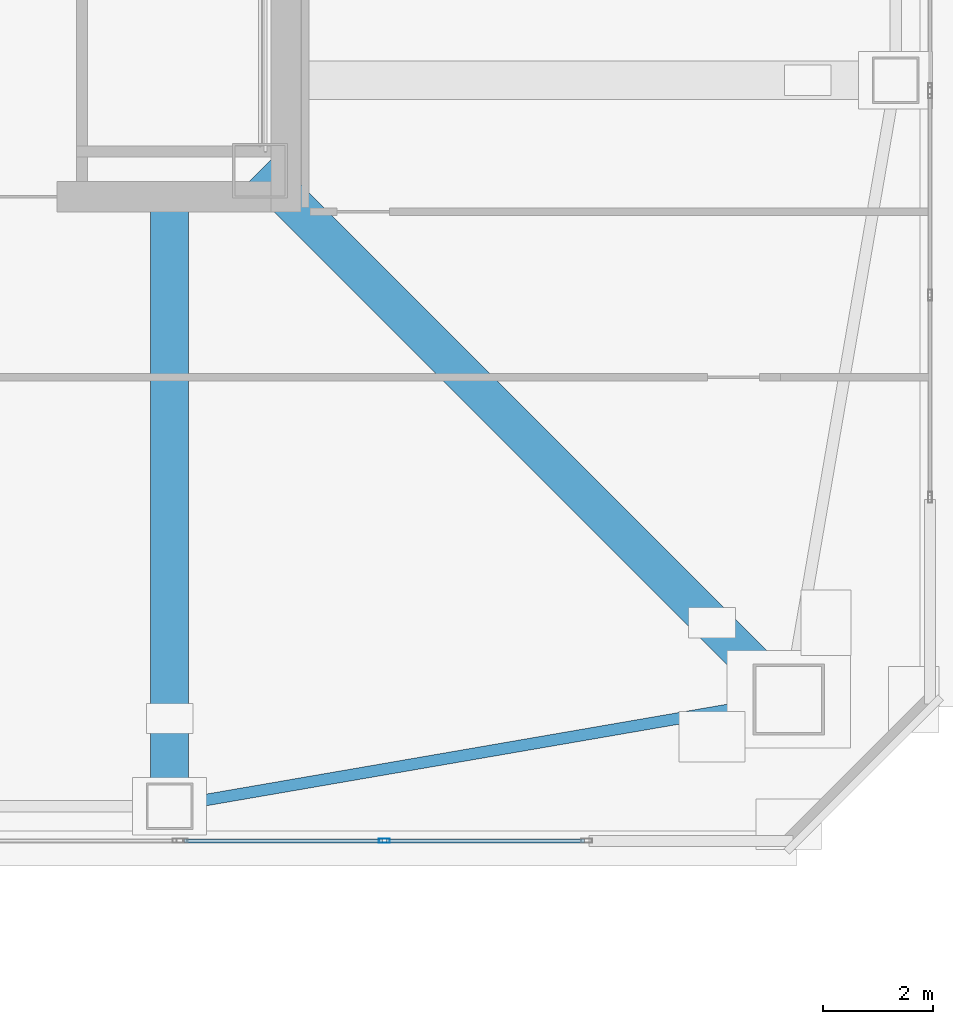
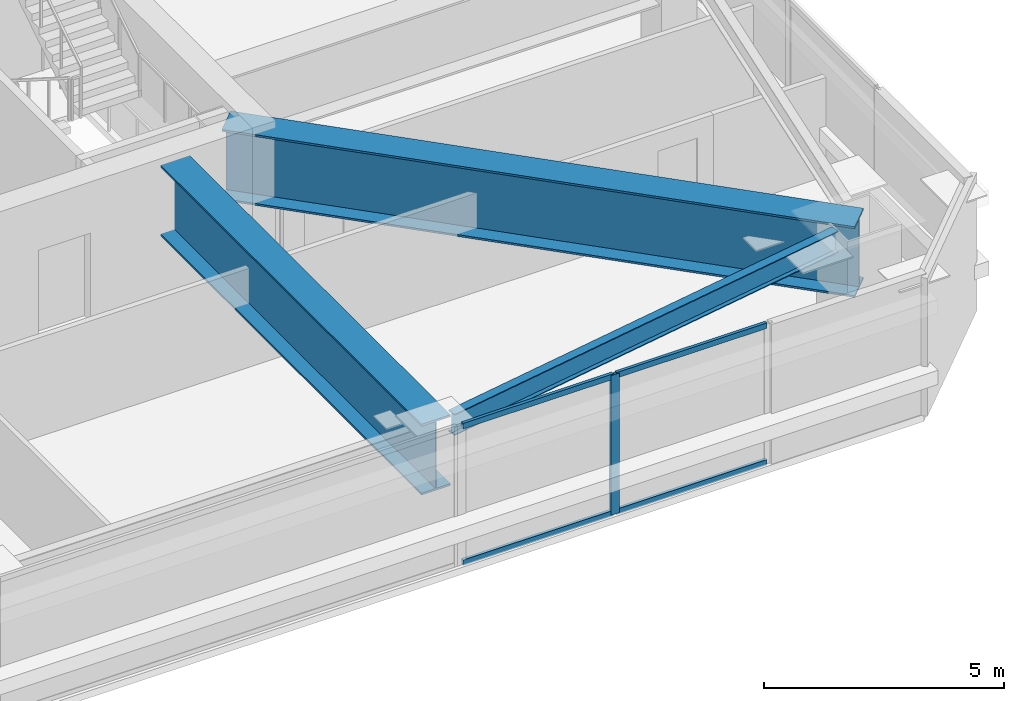
# One storey, part 6 of 42: 5 members, 3 beams, 1 element without a shape of its own.
"""IFC4 building model written with IfcOpenShell, lengths in metres."""

import ifcopenshell
import ifcopenshell.guid

model = None  # the IFC model being written
_history = None  # IfcOwnerHistory: only IFC2X3 demands one
_inside = {}  # id of a spatial element -> (the spatial element, [elements in it])
_under = {}  # id of a project, library or spatial element -> (it, [spatial elements below it])
_declared = {}  # id of a project -> (the project, [libraries it declares])
_typed = {}  # id of a type object -> (the type object, [elements of that type])
_made_of = {}  # id of a material, layer set ... -> (it, [elements and type objects made of it])


def new_model(schema):
    """Start an empty IFC model of exactly this schema.

    Asked for "IFC4X3", IfcOpenShell would pick the latest addendum, in which some entities
    have other attributes; the version numbers below select the first issue.
    IFC2X3 requires an IfcOwnerHistory on every rooted entity: one is made here for all.
    """
    global model, _history
    if schema == "IFC4X3":
        model = ifcopenshell.file(schema_version=(4, 3, 0, 0))
    else:
        model = ifcopenshell.file(schema=schema)
    _inside.clear()
    _under.clear()
    _declared.clear()
    _typed.clear()
    _made_of.clear()
    _history = None
    if model.schema == "IFC2X3":
        org = make("IfcOrganization", Name="unknown")
        user = make(
            "IfcPersonAndOrganization",
            ThePerson=make("IfcPerson", FamilyName="unknown"),
            TheOrganization=org,
        )
        app = make(
            "IfcApplication",
            ApplicationDeveloper=org,
            Version="unknown",
            ApplicationFullName="unknown",
            ApplicationIdentifier="unknown",
        )
        _history = make(
            "IfcOwnerHistory",
            OwningUser=user,
            OwningApplication=app,
            ChangeAction="ADDED",
            CreationDate=0,
        )
    return model


def make(cls, **values):
    """One entity of the class cls with the attributes given. An attribute that is None is left unset."""
    return model.create_entity(
        cls, **{name: value for name, value in values.items() if value is not None}
    )


def rooted(cls, **values):
    """An entity with a GlobalId (a new one), such as an element, a storey or a relation."""
    return make(cls, GlobalId=ifcopenshell.guid.new(), OwnerHistory=_history, **values)


def si_unit(unit_type, name, prefix=None):
    """IfcSIUnit, for example si_unit("LENGTHUNIT", "METRE", prefix="MILLI")."""
    return make("IfcSIUnit", UnitType=unit_type, Prefix=prefix, Name=name)


def assignment(units):
    """IfcUnitAssignment: the units of a project."""
    return None if units is None else make("IfcUnitAssignment", Units=units)


def point(xyz):
    """IfcCartesianPoint."""
    return None if xyz is None else make("IfcCartesianPoint", Coordinates=xyz)


def direction(xyz):
    """IfcDirection."""
    return None if xyz is None else make("IfcDirection", DirectionRatios=xyz)


def frame(location, z_axis=None, x_axis=None):
    """IfcAxis2Placement3D, a coordinate frame: its origin and axes. An axis left out is left unset."""
    return make(
        "IfcAxis2Placement3D",
        Location=point(location),
        Axis=direction(z_axis),
        RefDirection=direction(x_axis),
    )


def frame_2d(location, x_axis=None):
    """IfcAxis2Placement2D, a coordinate frame in the plane: its origin and x axis."""
    return make(
        "IfcAxis2Placement2D", Location=point(location), RefDirection=direction(x_axis)
    )


def origin():
    """The frame at (0, 0, 0) with its axes left unset."""
    return frame((0.0, 0.0, 0.0))


def origin_2d():
    """The frame at (0, 0) in the plane with its x axis left unset."""
    return frame_2d((0.0, 0.0))


def place(relative_to, where):
    """IfcLocalPlacement: puts the frame where relative to a parent placement (None: the world)."""
    return make(
        "IfcLocalPlacement", PlacementRelTo=relative_to, RelativePlacement=where
    )


def context(
    kind, dimensions, precision=None, world=None, true_north=None, identifier=None
):
    """IfcGeometricRepresentationContext, for example the 3D "Model" context."""
    return make(
        "IfcGeometricRepresentationContext",
        ContextIdentifier=identifier,
        ContextType=kind,
        CoordinateSpaceDimension=dimensions,
        Precision=precision,
        WorldCoordinateSystem=world,
        TrueNorth=true_north,
    )


def subcontext(parent, identifier, kind, view, scale=None):
    """IfcGeometricRepresentationSubContext, for example "Body" below "Model"."""
    return make(
        "IfcGeometricRepresentationSubContext",
        ContextIdentifier=identifier,
        ContextType=kind,
        ParentContext=parent,
        TargetScale=scale,
        TargetView=view,
    )


def project(units=None, contexts=None):
    """IfcProject with its units and contexts."""
    return rooted(
        "IfcProject",
        Name="project",
        RepresentationContexts=contexts,
        UnitsInContext=assignment(units),
    )


def spatial(cls, under=None, at=None, **own):
    """A site, building, storey or space (cls), placed at a placement, below another one or the project."""
    s = rooted(cls, ObjectPlacement=at, **own)
    if under is not None:
        _under.setdefault(under.id(), (under, []))[1].append(s)
    return s


def profile(cls, at=None, kind="AREA", **sizes):
    """A parametric profile (cls). Its sizes go by their IFC names, for example OverallWidth=200.0."""
    return make(cls, ProfileType=kind, Position=at, **sizes)


def hollow_rectangle(**sizes):
    """IfcRectangleHollowProfileDef."""
    return profile("IfcRectangleHollowProfileDef", **sizes)


def i_section(**sizes):
    """IfcIShapeProfileDef."""
    return profile("IfcIShapeProfileDef", **sizes)


def extrude(swept, where, along, depth):
    """IfcExtrudedAreaSolid: the profile swept, set in the frame where, extruded along a direction by depth."""
    return make(
        "IfcExtrudedAreaSolid",
        SweptArea=swept,
        Position=where,
        ExtrudedDirection=direction(along),
        Depth=depth,
    )


def shape(context_of_items, identifier, shape_type, items):
    """IfcShapeRepresentation: the items that make up one representation, for example the "Body"."""
    return make(
        "IfcShapeRepresentation",
        ContextOfItems=context_of_items,
        RepresentationIdentifier=identifier,
        RepresentationType=shape_type,
        Items=items,
    )


def material(Name=None, Category=None):
    """IfcMaterial."""
    return make("IfcMaterial", Name=Name, Category=Category)


def material_profile(
    of_material, cross_section, Name=None, Category=None, Priority=None
):
    """IfcMaterialProfile: a cross section and its material."""
    return make(
        "IfcMaterialProfile",
        Name=Name,
        Material=of_material,
        Profile=cross_section,
        Priority=Priority,
        Category=Category,
    )


def profile_set(profiles, Name=None, composite=None):
    """IfcMaterialProfileSet."""
    return make(
        "IfcMaterialProfileSet",
        Name=Name,
        MaterialProfiles=profiles,
        CompositeProfile=composite,
    )


def made_of(thing, what):
    """Note that an element or type object is made of a material, layer set ...; save() writes the relation."""
    if what is not None:
        _made_of.setdefault(what.id(), (what, []))[1].append(thing)
    return thing


def type_object(cls, material=None, **own):
    """A type object (cls), such as IfcWallType, which elements share."""
    return made_of(rooted(cls, **own), material)


def element(
    cls,
    number,
    at=None,
    inside=None,
    cuts=None,
    type_object=None,
    material=None,
    context=None,
    identifier="Body",
    shape_type=None,
    held_by="IfcProductDefinitionShape",
    body=None,
    shapes=None,
    **own,
):
    """One element of the class cls, such as IfcWall. Its Tag is "e" and its number.

    at: its placement. inside: the storey or other place that contains it. cuts: it is an
    opening in that element (IfcRelVoidsElement). A single representation is given by context,
    identifier, shape_type and body (its items); several are given by shapes. held_by: the class
    of the entity that holds the representations. save() writes the other relations.
    """
    e = rooted(cls, Tag="e%d" % number, ObjectPlacement=at, **own)
    if body is not None:
        shapes = [shape(context, identifier, shape_type, body)]
    if shapes is not None:
        e.Representation = make(held_by, Representations=shapes)
    if inside is not None:
        _inside.setdefault(inside.id(), (inside, []))[1].append(e)
    if cuts is not None:
        rooted(
            "IfcRelVoidsElement", RelatingBuildingElement=cuts, RelatedOpeningElement=e
        )
    if type_object is not None:
        _typed.setdefault(type_object.id(), (type_object, []))[1].append(e)
    return made_of(e, material)


def aggregate(whole, parts):
    """IfcRelAggregates: a whole, such as a stair, and the parts it consists of."""
    return rooted("IfcRelAggregates", RelatingObject=whole, RelatedObjects=parts)


def save(model, path):
    """Write the relations noted so far, then the file.

    IfcRelAggregates (storeys below a building ...), IfcRelContainedInSpatialStructure (elements
    in a storey), IfcRelDefinesByType, IfcRelAssociatesMaterial and IfcRelDeclares: one each for
    every whole, place, type object, material and project.
    """
    for whole, parts in _under.values():
        aggregate(whole, parts)
    for where, things in _inside.values():
        rooted(
            "IfcRelContainedInSpatialStructure",
            RelatedElements=things,
            RelatingStructure=where,
        )
    for kind, things in _typed.values():
        rooted("IfcRelDefinesByType", RelatedObjects=things, RelatingType=kind)
    for what, things in _made_of.values():
        rooted("IfcRelAssociatesMaterial", RelatedObjects=things, RelatingMaterial=what)
    for by, libraries in _declared.values():
        rooted("IfcRelDeclares", RelatingContext=by, RelatedDefinitions=libraries)
    model.write(path)


model = new_model("IFC4")

# Units and contexts
model_context = context("Model", 3, precision=1e-05, world=origin(), true_north=direction((0.0, 1.0)))
body_context = subcontext(model_context, "Body", "Model", "MODEL_VIEW")
ifc_project = project(units=[si_unit("LENGTHUNIT", "METRE"), si_unit("AREAUNIT", "SQUARE_METRE"), si_unit("VOLUMEUNIT", "CUBIC_METRE"), si_unit("PLANEANGLEUNIT", "RADIAN"), si_unit("MASSUNIT", "GRAM", prefix="KILO")], contexts=[model_context])

# Site, building, storey
site_placement = place(None, origin())
site = spatial("IfcSite", under=ifc_project, at=site_placement, CompositionType="ELEMENT")
building_placement = place(site_placement, origin())
building = spatial("IfcBuilding", under=site, at=building_placement, Name="Tashvorn Skyway Center", CompositionType="ELEMENT")
storey_placement = place(building_placement, frame((0.0, 0.0, 153.449951171875)))
storey = spatial("IfcBuildingStorey", under=building, at=storey_placement, Name="L41", CompositionType="ELEMENT", Elevation=153.449951171875)

# Beams
ifc_material_1 = material(Name="Steel ASTM A572 Grade 50", Category="steel")
ifc_material_profile_1 = material_profile(ifc_material_1, i_section(OverallWidth=0.699951171875, OverallDepth=1.800048828125, WebThickness=0.031982421875, FlangeThickness=0.050048828125, at=origin_2d()), Name="PG1800x700")
ifc_profile_set_1 = profile_set([ifc_material_profile_1], Name="Steel ASTM A572 Grade 50")
beam_type_1 = type_object("IfcBeamType", Name="BM-BEAM-PG1800x700", PredefinedType="BEAM", material=ifc_profile_set_1)
beam_1_placement = place(storey_placement, frame((58.699951171875, 15.300048828125, 2.469970703125), z_axis=(-0.707106781187, 0.707106781187, 0.0), x_axis=(-0.707106781187, -0.707106781187, 0.0)))
element("IfcBeam", 1, at=beam_1_placement, inside=storey, type_object=beam_type_1, Name="Tower 1 L41 Setback Transfer Girder MC-SE", PredefinedType="BEAM", context=body_context, shape_type="SweptSolid", body=[
    extrude(i_section(OverallWidth=0.699951171875, OverallDepth=1.800048828125, WebThickness=0.031982421875, FlangeThickness=0.050048828125, at=origin_2d()), origin(), (0.0, 0.0, 1.0), 13.64697265625),
])
beam_2_placement = place(storey_placement, frame((47.39990234375, 13.35009765625, 2.469970703125), z_axis=(0.0, 1.0, 0.0), x_axis=(-1.0, 0.0, 0.0)))
element("IfcBeam", 2, at=beam_2_placement, inside=storey, type_object=beam_type_1, Name="Tower 1 L41 Setback Transfer Girder FC-S2", PredefinedType="BEAM", context=body_context, shape_type="SweptSolid", body=[
    extrude(i_section(OverallWidth=0.699951171875, OverallDepth=1.800048828125, WebThickness=0.031982421875, FlangeThickness=0.050048828125, at=origin_2d()), origin(), (0.0, 0.0, 1.0), 10.869873046875),
])
ifc_material_2 = material(Name="Steel ASTM A992 Grade 50", Category="steel")
ifc_material_profile_2 = material_profile(ifc_material_2, i_section(OverallWidth=0.2109375, OverallDepth=0.5390625, WebThickness=0.01171875, FlangeThickness=0.018798828125, at=origin_2d()), Name="W21X73")
ifc_profile_set_2 = profile_set([ifc_material_profile_2], Name="Steel ASTM A992 Grade 50")
beam_type_2 = type_object("IfcBeamType", Name="BM-SPANDREL-W21X73", PredefinedType="SPANDREL", material=ifc_profile_set_2)
beam_3_placement = place(storey_placement, frame((47.81396484375, 13.42138671875, 3.1005859375), z_axis=(0.985432458462, 0.170067250846, 0.0), x_axis=(-0.170067250846, 0.985432458462, 0.0)))
element("IfcBeam", 3, at=beam_3_placement, inside=storey, type_object=beam_type_2, Name="Tower 1 L41 Spandrel Beam 03", PredefinedType="SPANDREL", context=body_context, shape_type="SweptSolid", body=[
    extrude(i_section(OverallWidth=0.2109375, OverallDepth=0.5390625, WebThickness=0.01171875, FlangeThickness=0.018798828125, at=origin_2d()), origin(), (0.0, 0.0, 1.0), 10.402099609375),
])

# Curtain wall, members
ifc_material_3 = material(Name="Thermally broken bronze-anodized aluminium 6063-T6", Category="aluminium")
curtain_wall_type = type_object("IfcCurtainWallType", Name="CW-CW-Z3", PredefinedType="NOTDEFINED", material=ifc_material_3)
curtain_wall_placement = place(storey_placement, origin())
curtain_wall = element("IfcCurtainWall", 4, at=curtain_wall_placement, inside=storey, type_object=curtain_wall_type, Name="Tower 1 L41 South Unitised Curtain Wall Glazing Group 1", PredefinedType="NOTDEFINED")
ifc_material_profile_3 = material_profile(ifc_material_3, hollow_rectangle(XDim=0.074951171875, YDim=0.199951171875, WallThickness=0.00439453125, at=origin_2d()), Name="ALU-MULL-75x200")
ifc_profile_set_3 = profile_set([ifc_material_profile_3], Name="Thermally broken bronze-anodized aluminium 6063-T6")
member_type_1 = type_object("IfcMemberType", Name="CWM-CW-Z3", PredefinedType="MULLION", material=ifc_profile_set_3)
member_1_placement = place(storey_placement, frame((51.322265625, 12.719970703125, 0.0), z_axis=(0.0, 0.0, 1.0), x_axis=(0.0, -1.0, 0.0)))
member_1 = element("IfcMember", 5, at=member_1_placement, type_object=member_type_1, Name="CW-Z3 mullion 2", PredefinedType="MULLION", context=body_context, shape_type="SweptSolid", body=[
    extrude(hollow_rectangle(XDim=0.074951171875, YDim=0.199951171875, WallThickness=0.00439453125, at=origin_2d()), origin(), (0.0, 0.0, 1.0), 3.550048828125),
])
ifc_material_profile_4 = material_profile(ifc_material_3, hollow_rectangle(XDim=0.074951171875, YDim=0.139892578125, WallThickness=0.004150390625, at=origin_2d()), Name="ALU-TRAN-75x140")
ifc_profile_set_4 = profile_set([ifc_material_profile_4], Name="Thermally broken bronze-anodized aluminium 6063-T6")
member_type_2 = type_object("IfcMemberType", Name="CWT-CW-Z3", PredefinedType="USERDEFINED", material=ifc_profile_set_4)
member_2_placement = place(storey_placement, frame((54.97607421875, 12.719970703125, 0.03759765625), z_axis=(-1.0, 0.0, 0.0), x_axis=(0.0, -1.0, 0.0)))
member_2 = element("IfcMember", 6, at=member_2_placement, type_object=member_type_2, Name="CW-Z3 transom 1.1", ObjectType="TRANSOM", PredefinedType="USERDEFINED", context=body_context, shape_type="SweptSolid", body=[
    extrude(hollow_rectangle(XDim=0.074951171875, YDim=0.139892578125, WallThickness=0.004150390625, at=origin_2d()), origin(), (0.0, 0.0, 1.0), 3.616455078125),
])
member_3_placement = place(storey_placement, frame((54.97607421875, 12.719970703125, 3.512451171875), z_axis=(-1.0, 0.0, 0.0), x_axis=(0.0, -1.0, 0.0)))
member_3 = element("IfcMember", 7, at=member_3_placement, type_object=member_type_2, Name="CW-Z3 transom 1.2", ObjectType="TRANSOM", PredefinedType="USERDEFINED", context=body_context, shape_type="SweptSolid", body=[
    extrude(hollow_rectangle(XDim=0.074951171875, YDim=0.139892578125, WallThickness=0.004150390625, at=origin_2d()), origin(), (0.0, 0.0, 1.0), 3.616455078125),
])
member_4_placement = place(storey_placement, frame((51.28466796875, 12.719970703125, 0.03759765625), z_axis=(-1.0, 0.0, 0.0), x_axis=(0.0, -1.0, 0.0)))
member_4 = element("IfcMember", 8, at=member_4_placement, type_object=member_type_2, Name="CW-Z3 transom 2.1", ObjectType="TRANSOM", PredefinedType="USERDEFINED", context=body_context, shape_type="SweptSolid", body=[
    extrude(hollow_rectangle(XDim=0.074951171875, YDim=0.139892578125, WallThickness=0.004150390625, at=origin_2d()), origin(), (0.0, 0.0, 1.0), 3.616455078125),
])
member_5_placement = place(storey_placement, frame((51.28466796875, 12.719970703125, 3.512451171875), z_axis=(-1.0, 0.0, 0.0), x_axis=(0.0, -1.0, 0.0)))
member_5 = element("IfcMember", 9, at=member_5_placement, type_object=member_type_2, Name="CW-Z3 transom 2.2", ObjectType="TRANSOM", PredefinedType="USERDEFINED", context=body_context, shape_type="SweptSolid", body=[
    extrude(hollow_rectangle(XDim=0.074951171875, YDim=0.139892578125, WallThickness=0.004150390625, at=origin_2d()), origin(), (0.0, 0.0, 1.0), 3.616455078125),
])
aggregate(curtain_wall, [member_1, member_2, member_3, member_4, member_5])

save(model, "model.ifc")
